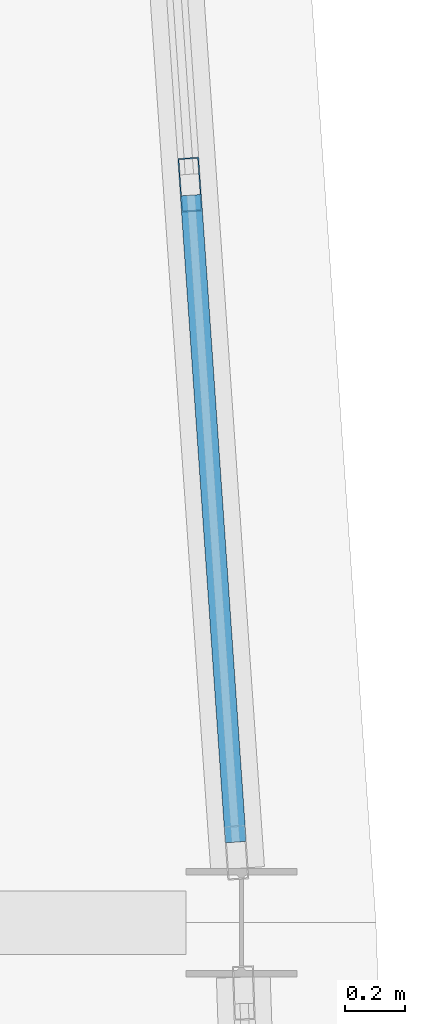
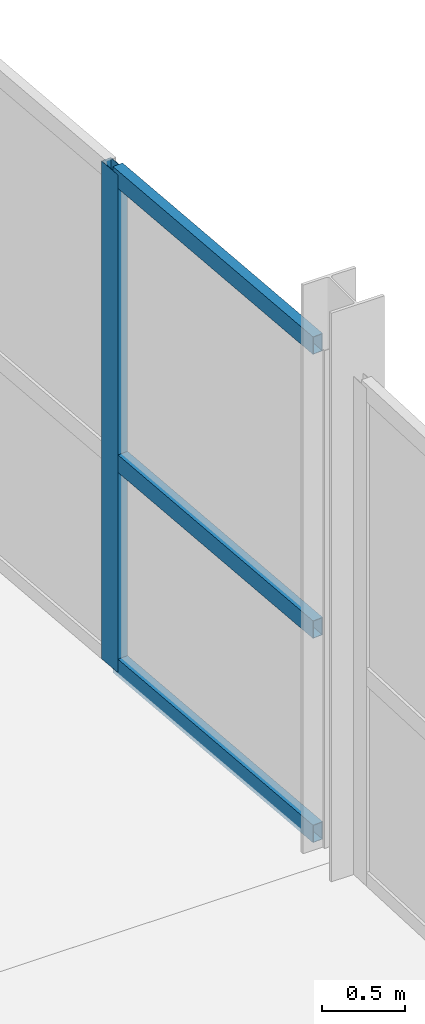
# One storey, part 5 of 16: 4 members, 1 element without a shape of its own.
"""IFC4 building model written with IfcOpenShell, lengths in metres."""

from ifc_helpers import new_model, si_unit, direction, frame, origin, origin_2d, place, context, subcontext, project, spatial, hollow_rectangle, extrude, material, layer, layer_set, material_profile, profile_set, type_object, element, aggregate, save


model = new_model("IFC4")

# Units and contexts
model_context = context("Model", 3, precision=1e-05, world=origin(), true_north=direction((0.0, 1.0)))
body_context = subcontext(model_context, "Body", "Model", "MODEL_VIEW")
ifc_project = project(units=[si_unit("LENGTHUNIT", "METRE"), si_unit("AREAUNIT", "SQUARE_METRE"), si_unit("VOLUMEUNIT", "CUBIC_METRE"), si_unit("PLANEANGLEUNIT", "RADIAN"), si_unit("MASSUNIT", "GRAM", prefix="KILO")], contexts=[model_context])

# Site, building, storey
site_placement = place(None, origin())
site = spatial("IfcSite", under=ifc_project, at=site_placement, CompositionType="ELEMENT")
building_placement = place(site_placement, origin())
building = spatial("IfcBuilding", under=site, at=building_placement, Name="Quillay Park Conservatory", CompositionType="ELEMENT")
storey_placement = place(building_placement, frame((0.0, 0.0, 43.5)))
storey = spatial("IfcBuildingStorey", under=building, at=storey_placement, Name="L10", CompositionType="ELEMENT", Elevation=43.5)

# Curtain wall, members
ifc_material_1 = material(Name="Thermally Broken Anodised Aluminium 6063-T6", Category="aluminium")
ifc_layer = layer(ifc_material_1, 0.179931640625)
ifc_layer_set = layer_set([ifc_layer], Name="UNITISED CURTAIN WALL TOWER (Thermally Broken Anodised Aluminium 6063-T6)")
curtain_wall_type = type_object("IfcCurtainWallType", Name="UNITISED CURTAIN WALL TOWER", PredefinedType="USERDEFINED", material=ifc_layer_set)
curtain_wall_placement = place(storey_placement, origin())
curtain_wall = element("IfcCurtainWall", 1, at=curtain_wall_placement, inside=storey, type_object=curtain_wall_type, Name="L10 Unitised Curtain Wall 100", ObjectType="UNITISED CURTAIN WALL", PredefinedType="USERDEFINED")
ifc_material_2 = material(Name="Thermally Broken Anodised Aluminium 6063-T6", Category="aluminium")
ifc_material_profile_1 = material_profile(ifc_material_2, hollow_rectangle(XDim=0.070068359375, YDim=0.179931640625, WallThickness=0.00390625, at=origin_2d()), Name="AL70x180x4")
ifc_profile_set_1 = profile_set([ifc_material_profile_1], Name="Thermally Broken Anodised Aluminium 6063-T6")
member_type_1 = type_object("IfcMemberType", Name="CURTAIN WALL MULLION 70 X180", PredefinedType="MULLION", material=ifc_profile_set_1)
member_1_placement = place(storey_placement, frame((26.253662109375, 102.06640625, 0.0), z_axis=(0.0, 0.0, 1.0), x_axis=(0.99759835015, 0.069264217159, 0.0)))
member_1 = element("IfcMember", 2, at=member_1_placement, type_object=member_type_1, Name="CW-T1 mullion 3", PredefinedType="MULLION", context=body_context, shape_type="SweptSolid", body=[
    extrude(hollow_rectangle(XDim=0.070068359375, YDim=0.179931640625, WallThickness=0.00390625, at=origin_2d()), origin(), (0.0, 0.0, 1.0), 3.677001953125),
])
ifc_material_3 = material(Name="Thermally Broken Anodised Aluminium 6063-T6", Category="aluminium")
ifc_material_profile_2 = material_profile(ifc_material_3, hollow_rectangle(XDim=0.070068359375, YDim=0.1298828125, WallThickness=0.003173828125, at=origin_2d()), Name="AL70x130x3.2")
ifc_profile_set_2 = profile_set([ifc_material_profile_2], Name="Thermally Broken Anodised Aluminium 6063-T6")
member_type_2 = type_object("IfcMemberType", Name="CURTAIN WALL TRANSOM 70 X130", PredefinedType="USERDEFINED", material=ifc_profile_set_2)
member_2_placement = place(storey_placement, frame((26.256103515625, 102.031494140625, 0.034912109375), z_axis=(0.069277598678, -0.997597420968, 0.0), x_axis=(0.997597420968, 0.069277598678, 0.0)))
member_2 = element("IfcMember", 3, at=member_2_placement, type_object=member_type_2, Name="CW-T1 transom 3.1", ObjectType="TRANSOM", PredefinedType="USERDEFINED", context=body_context, shape_type="SweptSolid", body=[
    extrude(hollow_rectangle(XDim=0.070068359375, YDim=0.1298828125, WallThickness=0.003173828125, at=origin_2d()), origin(), (0.0, 0.0, 1.0), 2.167236328125),
])
member_3_placement = place(storey_placement, frame((26.256103515625, 102.031494140625, 1.544189453125), z_axis=(0.069277598678, -0.997597420968, 0.0), x_axis=(0.997597420968, 0.069277598678, 0.0)))
member_3 = element("IfcMember", 4, at=member_3_placement, type_object=member_type_2, Name="CW-T1 transom 3.2", ObjectType="TRANSOM", PredefinedType="USERDEFINED", context=body_context, shape_type="SweptSolid", body=[
    extrude(hollow_rectangle(XDim=0.070068359375, YDim=0.1298828125, WallThickness=0.003173828125, at=origin_2d()), origin(), (0.0, 0.0, 1.0), 2.167236328125),
])
member_4_placement = place(storey_placement, frame((26.256103515625, 102.031494140625, 3.64208984375), z_axis=(0.069277598678, -0.997597420968, 0.0), x_axis=(0.997597420968, 0.069277598678, 0.0)))
member_4 = element("IfcMember", 5, at=member_4_placement, type_object=member_type_2, Name="CW-T1 transom 3.3", ObjectType="TRANSOM", PredefinedType="USERDEFINED", context=body_context, shape_type="SweptSolid", body=[
    extrude(hollow_rectangle(XDim=0.070068359375, YDim=0.1298828125, WallThickness=0.003173828125, at=origin_2d()), origin(), (0.0, 0.0, 1.0), 2.167236328125),
])
aggregate(curtain_wall, [member_1, member_2, member_3, member_4])

save(model, "model.ifc")
